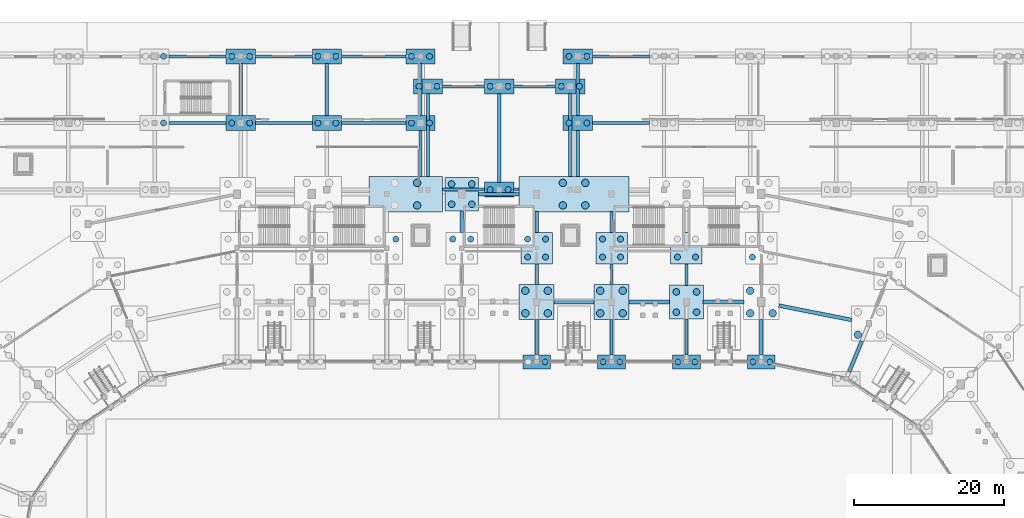
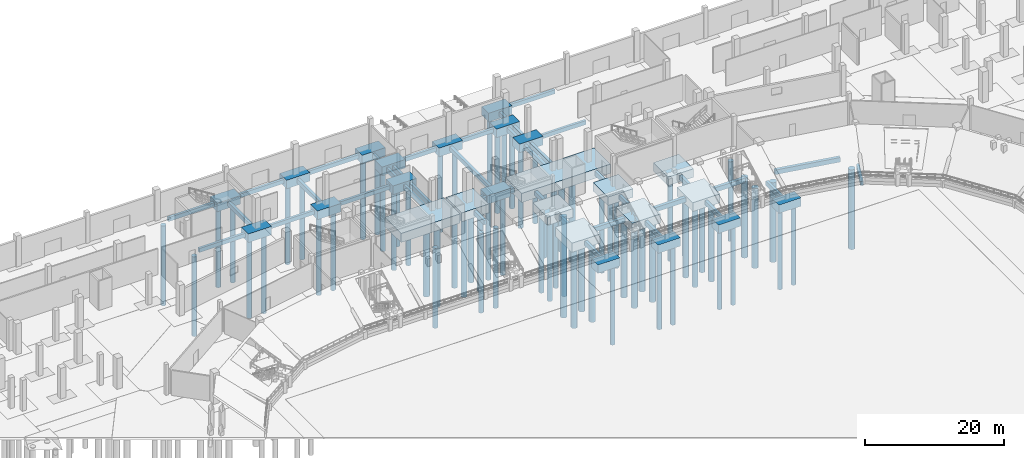
# One storey, part 11 of 68: 73 piles, 62 footings.
"""IFC4 building model written with IfcOpenShell, lengths in metres."""

import ifcopenshell
import ifcopenshell.guid

model = None  # the IFC model being written
_history = None  # IfcOwnerHistory: only IFC2X3 demands one
_inside = {}  # id of a spatial element -> (the spatial element, [elements in it])
_under = {}  # id of a project, library or spatial element -> (it, [spatial elements below it])
_declared = {}  # id of a project -> (the project, [libraries it declares])
_typed = {}  # id of a type object -> (the type object, [elements of that type])
_made_of = {}  # id of a material, layer set ... -> (it, [elements and type objects made of it])


def new_model(schema):
    """Start an empty IFC model of exactly this schema.

    Asked for "IFC4X3", IfcOpenShell would pick the latest addendum, in which some entities
    have other attributes; the version numbers below select the first issue.
    IFC2X3 requires an IfcOwnerHistory on every rooted entity: one is made here for all.
    """
    global model, _history
    if schema == "IFC4X3":
        model = ifcopenshell.file(schema_version=(4, 3, 0, 0))
    else:
        model = ifcopenshell.file(schema=schema)
    _inside.clear()
    _under.clear()
    _declared.clear()
    _typed.clear()
    _made_of.clear()
    _history = None
    if model.schema == "IFC2X3":
        org = make("IfcOrganization", Name="unknown")
        user = make(
            "IfcPersonAndOrganization",
            ThePerson=make("IfcPerson", FamilyName="unknown"),
            TheOrganization=org,
        )
        app = make(
            "IfcApplication",
            ApplicationDeveloper=org,
            Version="unknown",
            ApplicationFullName="unknown",
            ApplicationIdentifier="unknown",
        )
        _history = make(
            "IfcOwnerHistory",
            OwningUser=user,
            OwningApplication=app,
            ChangeAction="ADDED",
            CreationDate=0,
        )
    return model


def make(cls, **values):
    """One entity of the class cls with the attributes given. An attribute that is None is left unset."""
    return model.create_entity(
        cls, **{name: value for name, value in values.items() if value is not None}
    )


def rooted(cls, **values):
    """An entity with a GlobalId (a new one), such as an element, a storey or a relation."""
    return make(cls, GlobalId=ifcopenshell.guid.new(), OwnerHistory=_history, **values)


def si_unit(unit_type, name, prefix=None):
    """IfcSIUnit, for example si_unit("LENGTHUNIT", "METRE", prefix="MILLI")."""
    return make("IfcSIUnit", UnitType=unit_type, Prefix=prefix, Name=name)


def assignment(units):
    """IfcUnitAssignment: the units of a project."""
    return None if units is None else make("IfcUnitAssignment", Units=units)


def point(xyz):
    """IfcCartesianPoint."""
    return None if xyz is None else make("IfcCartesianPoint", Coordinates=xyz)


def direction(xyz):
    """IfcDirection."""
    return None if xyz is None else make("IfcDirection", DirectionRatios=xyz)


def frame(location, z_axis=None, x_axis=None):
    """IfcAxis2Placement3D, a coordinate frame: its origin and axes. An axis left out is left unset."""
    return make(
        "IfcAxis2Placement3D",
        Location=point(location),
        Axis=direction(z_axis),
        RefDirection=direction(x_axis),
    )


def frame_2d(location, x_axis=None):
    """IfcAxis2Placement2D, a coordinate frame in the plane: its origin and x axis."""
    return make(
        "IfcAxis2Placement2D", Location=point(location), RefDirection=direction(x_axis)
    )


def origin():
    """The frame at (0, 0, 0) with its axes left unset."""
    return frame((0.0, 0.0, 0.0))


def origin_2d():
    """The frame at (0, 0) in the plane with its x axis left unset."""
    return frame_2d((0.0, 0.0))


def place(relative_to, where):
    """IfcLocalPlacement: puts the frame where relative to a parent placement (None: the world)."""
    return make(
        "IfcLocalPlacement", PlacementRelTo=relative_to, RelativePlacement=where
    )


def context(
    kind, dimensions, precision=None, world=None, true_north=None, identifier=None
):
    """IfcGeometricRepresentationContext, for example the 3D "Model" context."""
    return make(
        "IfcGeometricRepresentationContext",
        ContextIdentifier=identifier,
        ContextType=kind,
        CoordinateSpaceDimension=dimensions,
        Precision=precision,
        WorldCoordinateSystem=world,
        TrueNorth=true_north,
    )


def subcontext(parent, identifier, kind, view, scale=None):
    """IfcGeometricRepresentationSubContext, for example "Body" below "Model"."""
    return make(
        "IfcGeometricRepresentationSubContext",
        ContextIdentifier=identifier,
        ContextType=kind,
        ParentContext=parent,
        TargetScale=scale,
        TargetView=view,
    )


def project(units=None, contexts=None):
    """IfcProject with its units and contexts."""
    return rooted(
        "IfcProject",
        Name="project",
        RepresentationContexts=contexts,
        UnitsInContext=assignment(units),
    )


def spatial(cls, under=None, at=None, **own):
    """A site, building, storey or space (cls), placed at a placement, below another one or the project."""
    s = rooted(cls, ObjectPlacement=at, **own)
    if under is not None:
        _under.setdefault(under.id(), (under, []))[1].append(s)
    return s


def profile(cls, at=None, kind="AREA", **sizes):
    """A parametric profile (cls). Its sizes go by their IFC names, for example OverallWidth=200.0."""
    return make(cls, ProfileType=kind, Position=at, **sizes)


def rectangle(**sizes):
    """IfcRectangleProfileDef."""
    return profile("IfcRectangleProfileDef", **sizes)


def circle(**sizes):
    """IfcCircleProfileDef."""
    return profile("IfcCircleProfileDef", **sizes)


def extrude(swept, where, along, depth):
    """IfcExtrudedAreaSolid: the profile swept, set in the frame where, extruded along a direction by depth."""
    return make(
        "IfcExtrudedAreaSolid",
        SweptArea=swept,
        Position=where,
        ExtrudedDirection=direction(along),
        Depth=depth,
    )


def shape(context_of_items, identifier, shape_type, items):
    """IfcShapeRepresentation: the items that make up one representation, for example the "Body"."""
    return make(
        "IfcShapeRepresentation",
        ContextOfItems=context_of_items,
        RepresentationIdentifier=identifier,
        RepresentationType=shape_type,
        Items=items,
    )


def material(Name=None, Category=None):
    """IfcMaterial."""
    return make("IfcMaterial", Name=Name, Category=Category)


def material_profile(
    of_material, cross_section, Name=None, Category=None, Priority=None
):
    """IfcMaterialProfile: a cross section and its material."""
    return make(
        "IfcMaterialProfile",
        Name=Name,
        Material=of_material,
        Profile=cross_section,
        Priority=Priority,
        Category=Category,
    )


def profile_set(profiles, Name=None, composite=None):
    """IfcMaterialProfileSet."""
    return make(
        "IfcMaterialProfileSet",
        Name=Name,
        MaterialProfiles=profiles,
        CompositeProfile=composite,
    )


def made_of(thing, what):
    """Note that an element or type object is made of a material, layer set ...; save() writes the relation."""
    if what is not None:
        _made_of.setdefault(what.id(), (what, []))[1].append(thing)
    return thing


def type_object(cls, material=None, **own):
    """A type object (cls), such as IfcWallType, which elements share."""
    return made_of(rooted(cls, **own), material)


def element(
    cls,
    number,
    at=None,
    inside=None,
    cuts=None,
    type_object=None,
    material=None,
    context=None,
    identifier="Body",
    shape_type=None,
    held_by="IfcProductDefinitionShape",
    body=None,
    shapes=None,
    **own,
):
    """One element of the class cls, such as IfcWall. Its Tag is "e" and its number.

    at: its placement. inside: the storey or other place that contains it. cuts: it is an
    opening in that element (IfcRelVoidsElement). A single representation is given by context,
    identifier, shape_type and body (its items); several are given by shapes. held_by: the class
    of the entity that holds the representations. save() writes the other relations.
    """
    e = rooted(cls, Tag="e%d" % number, ObjectPlacement=at, **own)
    if body is not None:
        shapes = [shape(context, identifier, shape_type, body)]
    if shapes is not None:
        e.Representation = make(held_by, Representations=shapes)
    if inside is not None:
        _inside.setdefault(inside.id(), (inside, []))[1].append(e)
    if cuts is not None:
        rooted(
            "IfcRelVoidsElement", RelatingBuildingElement=cuts, RelatedOpeningElement=e
        )
    if type_object is not None:
        _typed.setdefault(type_object.id(), (type_object, []))[1].append(e)
    return made_of(e, material)


def aggregate(whole, parts):
    """IfcRelAggregates: a whole, such as a stair, and the parts it consists of."""
    return rooted("IfcRelAggregates", RelatingObject=whole, RelatedObjects=parts)


def save(model, path):
    """Write the relations noted so far, then the file.

    IfcRelAggregates (storeys below a building ...), IfcRelContainedInSpatialStructure (elements
    in a storey), IfcRelDefinesByType, IfcRelAssociatesMaterial and IfcRelDeclares: one each for
    every whole, place, type object, material and project.
    """
    for whole, parts in _under.values():
        aggregate(whole, parts)
    for where, things in _inside.values():
        rooted(
            "IfcRelContainedInSpatialStructure",
            RelatedElements=things,
            RelatingStructure=where,
        )
    for kind, things in _typed.values():
        rooted("IfcRelDefinesByType", RelatedObjects=things, RelatingType=kind)
    for what, things in _made_of.values():
        rooted("IfcRelAssociatesMaterial", RelatedObjects=things, RelatingMaterial=what)
    for by, libraries in _declared.values():
        rooted("IfcRelDeclares", RelatingContext=by, RelatedDefinitions=libraries)
    model.write(path)


model = new_model("IFC4")

# Units and contexts
model_context = context("Model", 3, precision=1e-05, world=origin(), true_north=direction((0.0, 1.0)))
body_context = subcontext(model_context, "Body", "Model", "MODEL_VIEW")
ifc_project = project(units=[si_unit("LENGTHUNIT", "METRE"), si_unit("AREAUNIT", "SQUARE_METRE"), si_unit("VOLUMEUNIT", "CUBIC_METRE"), si_unit("PLANEANGLEUNIT", "RADIAN"), si_unit("MASSUNIT", "GRAM", prefix="KILO")], contexts=[model_context])

# Site, building, storey
site_placement = place(None, origin())
site = spatial("IfcSite", under=ifc_project, at=site_placement, CompositionType="ELEMENT")
building_placement = place(site_placement, origin())
building = spatial("IfcBuilding", under=site, at=building_placement, Name="Candeia Ridge Stadium", CompositionType="ELEMENT")
storey_placement = place(building_placement, origin())
storey = spatial("IfcBuildingStorey", under=building, at=storey_placement, Name="L00", CompositionType="ELEMENT", Elevation=0.0)

# Piles
ifc_material = material(Name="Concrete C40/50", Category="concrete")
ifc_material_profile_1 = material_profile(ifc_material, circle(Radius=0.5, at=origin_2d()), Name="PILE-D1000", Category="concrete")
ifc_profile_set_1 = profile_set([ifc_material_profile_1], Name="Concrete C40/50")
pile_type_1 = type_object("IfcPileType", Name="Bored Concrete Pile D1000", PredefinedType="BORED", material=ifc_profile_set_1)
for number, where, z_axis, x_axis, name in (
    (1, (139.5, 131.10009765625, -1.39990234375), (0.0, 0.0, -1.0), (1.0, 0.0, 0.0), "Bored concrete foundation pile PILE-0003"),
    (2, (142.5, 131.10009765625, -1.39990234375), (0.0, 0.0, -1.0), (1.0, 0.0, 0.0), "Bored concrete foundation pile PILE-0004"),
    (3, (139.5, 134.10009765625, -1.39990234375), (0.0, 0.0, -1.0), (1.0, 0.0, 0.0), "Bored concrete foundation pile PILE-0005"),
    (4, (119.5, 131.10009765625, -1.39990234375), (0.0, 0.0, -1.0), (1.0, 0.0, 0.0), "Bored concrete foundation pile PILE-0031"),
    (5, (122.5, 131.10009765625, -1.39990234375), (0.0, 0.0, -1.0), (1.0, 0.0, 0.0), "Bored concrete foundation pile PILE-0032"),
    (6, (119.5, 134.10009765625, -1.39990234375), (0.0, 0.0, -1.0), (1.0, 0.0, 0.0), "Bored concrete foundation pile PILE-0033"),
    (7, (122.5, 134.10009765625, -1.39990234375), (0.0, 0.0, -1.0), (1.0, 0.0, 0.0), "Bored concrete foundation pile PILE-0034"),
    (8, (114.5, 145.5, -1.39990234375), (0.0, 0.0, -1.0), (1.0, 0.0, 0.0), "Bored concrete foundation pile PILE-0039"),
    (9, (117.5, 145.5, -1.39990234375), (0.0, 0.0, -1.0), (1.0, 0.0, 0.0), "Bored concrete foundation pile PILE-0040"),
    (10, (114.5, 148.5, -1.39990234375), (0.0, 0.0, -1.0), (1.0, 0.0, 0.0), "Bored concrete foundation pile PILE-0041"),
    (11, (117.5, 148.5, -1.39990234375), (0.0, 0.0, -1.0), (1.0, 0.0, 0.0), "Bored concrete foundation pile PILE-0042"),
    (12, (109.5, 131.10009765625, -1.39990234375), (0.0, 0.0, -1.0), (1.0, 0.0, 0.0), "Bored concrete foundation pile PILE-0045"),
    (13, (112.5, 131.10009765625, -1.39990234375), (0.0, 0.0, -1.0), (1.0, 0.0, 0.0), "Bored concrete foundation pile PILE-0046"),
    (14, (109.5, 134.10009765625, -1.39990234375), (0.0, 0.0, -1.0), (1.0, 0.0, 0.0), "Bored concrete foundation pile PILE-0047"),
    (15, (112.5, 134.10009765625, -1.39990234375), (0.0, 0.0, -1.0), (1.0, 0.0, 0.0), "Bored concrete foundation pile PILE-0048"),
    (16, (95.050048828125, 145.5, -1.39990234375), (0.0, 0.0, -1.0), (1.0, 0.0, 0.0), "Bored concrete foundation pile PILE-0078"),
    (17, (95.050048828125, 148.5, -1.39990234375), (0.0, 0.0, -1.0), (1.0, 0.0, 0.0), "Bored concrete foundation pile PILE-0080"),
    (18, (153.888916015625, 128.23779296875, -1.39990234375), (0.0, 0.0, -1.0), (1.0, 0.0, 0.0), "Bored concrete foundation pile PILE-0481"),
):
    element("IfcPile", number, at=place(storey_placement, frame(where, z_axis=z_axis, x_axis=x_axis)), inside=storey, type_object=pile_type_1, Name=name, PredefinedType="BORED", context=body_context, shape_type="SweptSolid", body=[
        extrude(circle(Radius=0.5, at=origin_2d()), origin(), (0.0, 0.0, 1.0), 14.0),
    ])
ifc_material_profile_2 = material_profile(ifc_material, circle(Radius=0.375, at=origin_2d()), Name="PILE-D750", Category="concrete")
ifc_profile_set_2 = profile_set([ifc_material_profile_2], Name="Concrete C40/50")
pile_type_2 = type_object("IfcPileType", Name="Bored Concrete Pile D750", PredefinedType="BORED", material=ifc_profile_set_2)
for number, where, z_axis, x_axis, name in (
    (19, (139.875, 124.60009765625, -1.39990234375), (0.0, 0.0, -1.0), (1.0, 0.0, 0.0), "Bored concrete foundation pile PILE-0001"),
    (20, (142.125, 124.60009765625, -1.39990234375), (0.0, 0.0, -1.0), (1.0, 0.0, 0.0), "Bored concrete foundation pile PILE-0002"),
    (21, (129.875, 124.60009765625, -1.39990234375), (0.0, 0.0, -1.0), (1.0, 0.0, 0.0), "Bored concrete foundation pile PILE-0015"),
    (22, (132.125, 124.60009765625, -1.39990234375), (0.0, 0.0, -1.0), (1.0, 0.0, 0.0), "Bored concrete foundation pile PILE-0016"),
    (23, (119.875, 124.60009765625, -1.39990234375), (0.0, 0.0, -1.0), (1.0, 0.0, 0.0), "Bored concrete foundation pile PILE-0029"),
    (24, (122.125, 124.60009765625, -1.39990234375), (0.0, 0.0, -1.0), (1.0, 0.0, 0.0), "Bored concrete foundation pile PILE-0030"),
    (25, (112.125, 124.60009765625, -1.39990234375), (0.0, 0.0, -1.0), (1.0, 0.0, 0.0), "Bored concrete foundation pile PILE-0044"),
):
    element("IfcPile", number, at=place(storey_placement, frame(where, z_axis=z_axis, x_axis=x_axis)), inside=storey, type_object=pile_type_2, Name=name, PredefinedType="BORED", context=body_context, shape_type="SweptSolid", body=[
        extrude(circle(Radius=0.375, at=origin_2d()), origin(), (0.0, 0.0, 1.0), 14.0),
    ])
ifc_material_profile_3 = material_profile(ifc_material, circle(Radius=0.39990234375, at=origin_2d()), Name="PILE-D800", Category="concrete")
ifc_profile_set_3 = profile_set([ifc_material_profile_3], Name="Concrete C40/50")
pile_type_3 = type_object("IfcPileType", Name="Bored Concrete Pile D800", PredefinedType="BORED", material=ifc_profile_set_3)
for number, where, z_axis, x_axis, name in (
    (26, (139.800048828125, 138.60009765625, -1.39990234375), (0.0, 0.0, -1.0), (1.0, 0.0, 0.0), "Bored concrete foundation pile PILE-0007"),
    (27, (129.800048828125, 138.60009765625, -1.39990234375), (0.0, 0.0, -1.0), (1.0, 0.0, 0.0), "Bored concrete foundation pile PILE-0021"),
    (28, (132.199951171875, 138.60009765625, -1.39990234375), (0.0, 0.0, -1.0), (1.0, 0.0, 0.0), "Bored concrete foundation pile PILE-0022"),
    (29, (119.800048828125, 138.60009765625, -1.39990234375), (0.0, 0.0, -1.0), (1.0, 0.0, 0.0), "Bored concrete foundation pile PILE-0035"),
    (30, (122.199951171875, 138.60009765625, -1.39990234375), (0.0, 0.0, -1.0), (1.0, 0.0, 0.0), "Bored concrete foundation pile PILE-0036"),
    (31, (119.800048828125, 141.0, -1.39990234375), (0.0, 0.0, -1.0), (1.0, 0.0, 0.0), "Bored concrete foundation pile PILE-0037"),
    (32, (122.199951171875, 141.0, -1.39990234375), (0.0, 0.0, -1.0), (1.0, 0.0, 0.0), "Bored concrete foundation pile PILE-0038"),
    (33, (109.800048828125, 138.60009765625, -1.39990234375), (0.0, 0.0, -1.0), (1.0, 0.0, 0.0), "Bored concrete foundation pile PILE-0049"),
    (34, (112.199951171875, 138.60009765625, -1.39990234375), (0.0, 0.0, -1.0), (1.0, 0.0, 0.0), "Bored concrete foundation pile PILE-0050"),
    (35, (109.800048828125, 141.0, -1.39990234375), (0.0, 0.0, -1.0), (1.0, 0.0, 0.0), "Bored concrete foundation pile PILE-0051"),
    (36, (112.199951171875, 141.0, -1.39990234375), (0.0, 0.0, -1.0), (1.0, 0.0, 0.0), "Bored concrete foundation pile PILE-0052"),
    (37, (99.800048828125, 141.0, -1.39990234375), (0.0, 0.0, -1.0), (1.0, 0.0, 0.0), "Bored concrete foundation pile PILE-0061"),
    (38, (102.199951171875, 141.0, -1.39990234375), (0.0, 0.0, -1.0), (1.0, 0.0, 0.0), "Bored concrete foundation pile PILE-0062"),
    (39, (92.199951171875, 141.0, -1.39990234375), (0.0, 0.0, -1.0), (1.0, 0.0, 0.0), "Bored concrete foundation pile PILE-0076"),
    (40, (61.199951171875, 156.5, -1.39990234375), (0.0, 0.0, -1.0), (1.0, 0.0, 0.0), "Bored concrete foundation pile PILE-0830"),
    (41, (61.199951171875, 165.39990234375, -1.39990234375), (0.0, 0.0, -1.0), (1.0, 0.0, 0.0), "Bored concrete foundation pile PILE-0832"),
    (42, (70.300048828125, 156.5, -1.39990234375), (0.0, 0.0, -1.0), (1.0, 0.0, 0.0), "Bored concrete foundation pile PILE-0833"),
    (43, (72.699951171875, 156.5, -1.39990234375), (0.0, 0.0, -1.0), (1.0, 0.0, 0.0), "Bored concrete foundation pile PILE-0834"),
    (44, (70.300048828125, 165.39990234375, -1.39990234375), (0.0, 0.0, -1.0), (1.0, 0.0, 0.0), "Bored concrete foundation pile PILE-0835"),
    (45, (72.699951171875, 165.39990234375, -1.39990234375), (0.0, 0.0, -1.0), (1.0, 0.0, 0.0), "Bored concrete foundation pile PILE-0836"),
    (46, (81.800048828125, 156.5, -1.39990234375), (0.0, 0.0, -1.0), (1.0, 0.0, 0.0), "Bored concrete foundation pile PILE-0837"),
    (47, (84.199951171875, 156.5, -1.39990234375), (0.0, 0.0, -1.0), (1.0, 0.0, 0.0), "Bored concrete foundation pile PILE-0838"),
    (48, (81.800048828125, 165.39990234375, -1.39990234375), (0.0, 0.0, -1.0), (1.0, 0.0, 0.0), "Bored concrete foundation pile PILE-0839"),
    (49, (84.199951171875, 165.39990234375, -1.39990234375), (0.0, 0.0, -1.0), (1.0, 0.0, 0.0), "Bored concrete foundation pile PILE-0840"),
    (50, (94.300048828125, 156.5, -1.39990234375), (0.0, 0.0, -1.0), (1.0, 0.0, 0.0), "Bored concrete foundation pile PILE-0841"),
    (51, (96.699951171875, 156.5, -1.39990234375), (0.0, 0.0, -1.0), (1.0, 0.0, 0.0), "Bored concrete foundation pile PILE-0842"),
    (52, (94.300048828125, 165.39990234375, -1.39990234375), (0.0, 0.0, -1.0), (1.0, 0.0, 0.0), "Bored concrete foundation pile PILE-0843"),
    (53, (96.699951171875, 165.39990234375, -1.39990234375), (0.0, 0.0, -1.0), (1.0, 0.0, 0.0), "Bored concrete foundation pile PILE-0844"),
    (54, (115.300048828125, 156.5, -1.39990234375), (0.0, 0.0, -1.0), (1.0, 0.0, 0.0), "Bored concrete foundation pile PILE-0845"),
    (55, (117.699951171875, 156.5, -1.39990234375), (0.0, 0.0, -1.0), (1.0, 0.0, 0.0), "Bored concrete foundation pile PILE-0846"),
    (56, (115.300048828125, 165.39990234375, -1.39990234375), (0.0, 0.0, -1.0), (1.0, 0.0, 0.0), "Bored concrete foundation pile PILE-0847"),
    (57, (117.699951171875, 165.39990234375, -1.39990234375), (0.0, 0.0, -1.0), (1.0, 0.0, 0.0), "Bored concrete foundation pile PILE-0848"),
    (58, (95.300048828125, 161.39990234375, -1.39990234375), (0.0, 0.0, -1.0), (1.0, 0.0, 0.0), "Bored concrete foundation pile PILE-0881"),
    (59, (97.699951171875, 161.39990234375, -1.39990234375), (0.0, 0.0, -1.0), (1.0, 0.0, 0.0), "Bored concrete foundation pile PILE-0882"),
    (60, (104.800048828125, 147.60009765625, -1.39990234375), (0.0, 0.0, -1.0), (1.0, 0.0, 0.0), "Bored concrete foundation pile PILE-0883"),
    (61, (107.199951171875, 147.60009765625, -1.39990234375), (0.0, 0.0, -1.0), (1.0, 0.0, 0.0), "Bored concrete foundation pile PILE-0884"),
    (62, (104.800048828125, 161.39990234375, -1.39990234375), (0.0, 0.0, -1.0), (1.0, 0.0, 0.0), "Bored concrete foundation pile PILE-0885"),
    (63, (107.199951171875, 161.39990234375, -1.39990234375), (0.0, 0.0, -1.0), (1.0, 0.0, 0.0), "Bored concrete foundation pile PILE-0886"),
    (64, (114.300048828125, 161.39990234375, -1.39990234375), (0.0, 0.0, -1.0), (1.0, 0.0, 0.0), "Bored concrete foundation pile PILE-0887"),
    (65, (116.699951171875, 161.39990234375, -1.39990234375), (0.0, 0.0, -1.0), (1.0, 0.0, 0.0), "Bored concrete foundation pile PILE-0888"),
):
    element("IfcPile", number, at=place(storey_placement, frame(where, z_axis=z_axis, x_axis=x_axis)), inside=storey, type_object=pile_type_3, Name=name, PredefinedType="BORED", context=body_context, shape_type="SweptSolid", body=[
        extrude(circle(Radius=0.39990234375, at=origin_2d()), origin(), (0.0, 0.0, 1.0), 14.0),
    ])
ifc_material_profile_4 = material_profile(ifc_material, circle(Radius=0.449951171875, at=origin_2d()), Name="PILE-D900", Category="concrete")
ifc_profile_set_4 = profile_set([ifc_material_profile_4], Name="Concrete C40/50")
pile_type_4 = type_object("IfcPileType", Name="Bored Concrete Pile D900", PredefinedType="BORED", material=ifc_profile_set_4)
for number, where, z_axis, x_axis, name in (
    (66, (129.64990234375, 131.25, -1.39990234375), (0.0, 0.0, -1.0), (1.0, 0.0, 0.0), "Bored concrete foundation pile PILE-0017"),
    (67, (132.35009765625, 131.25, -1.39990234375), (0.0, 0.0, -1.0), (1.0, 0.0, 0.0), "Bored concrete foundation pile PILE-0018"),
    (68, (129.64990234375, 133.949951171875, -1.39990234375), (0.0, 0.0, -1.0), (1.0, 0.0, 0.0), "Bored concrete foundation pile PILE-0019"),
    (69, (132.35009765625, 133.949951171875, -1.39990234375), (0.0, 0.0, -1.0), (1.0, 0.0, 0.0), "Bored concrete foundation pile PILE-0020"),
    (70, (99.64990234375, 145.64990234375, -1.39990234375), (0.0, 0.0, -1.0), (1.0, 0.0, 0.0), "Bored concrete foundation pile PILE-0063"),
    (71, (102.35009765625, 145.64990234375, -1.39990234375), (0.0, 0.0, -1.0), (1.0, 0.0, 0.0), "Bored concrete foundation pile PILE-0064"),
    (72, (99.64990234375, 148.35009765625, -1.39990234375), (0.0, 0.0, -1.0), (1.0, 0.0, 0.0), "Bored concrete foundation pile PILE-0065"),
    (73, (102.35009765625, 148.35009765625, -1.39990234375), (0.0, 0.0, -1.0), (1.0, 0.0, 0.0), "Bored concrete foundation pile PILE-0066"),
):
    element("IfcPile", number, at=place(storey_placement, frame(where, z_axis=z_axis, x_axis=x_axis)), inside=storey, type_object=pile_type_4, Name=name, PredefinedType="BORED", context=body_context, shape_type="SweptSolid", body=[
        extrude(circle(Radius=0.449951171875, at=origin_2d()), origin(), (0.0, 0.0, 1.0), 14.0),
    ])

# Footings
footing_type_1 = type_object("IfcFootingType", Name="Ground Tie Beam 400x700", PredefinedType="FOOTING_BEAM", material=ifc_material)
for number, where, z_axis, x_axis, name in (
    (74, (65.75, 156.5, -1.0498046875), (0.0, 0.0, 1.0), (1.0, 0.0, 0.0), "Ground tie beam GTB-0384"),
    (75, (65.75, 165.39990234375, -1.0498046875), (0.0, 0.0, 1.0), (1.0, 0.0, 0.0), "Ground tie beam GTB-0385"),
    (76, (77.25, 156.5, -1.0498046875), (0.0, 0.0, 1.0), (1.0, 0.0, 0.0), "Ground tie beam GTB-0389"),
    (77, (77.25, 165.39990234375, -1.0498046875), (0.0, 0.0, 1.0), (1.0, 0.0, 0.0), "Ground tie beam GTB-0390"),
):
    element("IfcFooting", number, at=place(storey_placement, frame(where, z_axis=z_axis, x_axis=x_axis)), inside=storey, type_object=footing_type_1, Name=name, PredefinedType="FOOTING_BEAM", context=body_context, shape_type="SweptSolid", body=[
        extrude(rectangle(XDim=7.6201171875, YDim=0.39990234375, at=origin_2d()), origin(), (0.0, 0.0, 1.0), 0.699951171875),
    ])
for number, where, z_axis, x_axis, name in (
    (78, (89.25, 156.5, -1.0498046875), (0.0, 0.0, 1.0), (1.0, 0.0, 0.0), "Ground tie beam GTB-0394"),
    (79, (89.25, 165.39990234375, -1.0498046875), (0.0, 0.0, 1.0), (1.0, 0.0, 0.0), "Ground tie beam GTB-0395"),
):
    element("IfcFooting", number, at=place(storey_placement, frame(where, z_axis=z_axis, x_axis=x_axis)), inside=storey, type_object=footing_type_1, Name=name, PredefinedType="FOOTING_BEAM", context=body_context, shape_type="SweptSolid", body=[
        extrude(rectangle(XDim=8.6201171875, YDim=0.39990234375, at=origin_2d()), origin(), (0.0, 0.0, 1.0), 0.699951171875),
    ])
for number, where, z_axis, x_axis, name in (
    (80, (122.25, 156.5, -1.0498046875), (0.0, 0.0, 1.0), (1.0, 0.0, 0.0), "Ground tie beam GTB-0401"),
    (81, (122.25, 165.39990234375, -1.0498046875), (0.0, 0.0, 1.0), (1.0, 0.0, 0.0), "Ground tie beam GTB-0402"),
):
    element("IfcFooting", number, at=place(storey_placement, frame(where, z_axis=z_axis, x_axis=x_axis)), inside=storey, type_object=footing_type_1, Name=name, PredefinedType="FOOTING_BEAM", context=body_context, shape_type="SweptSolid", body=[
        extrude(rectangle(XDim=7.6201171875, YDim=0.39990234375, at=origin_2d()), origin(), (0.0, 0.0, 1.0), 0.699951171875),
    ])
for number, where, z_axis, x_axis, name in (
    (82, (101.25, 147.60009765625, -1.0498046875), (0.0, 0.0, 1.0), (1.0, 0.0, 0.0), "Ground tie beam GTB-0431"),
    (83, (101.25, 161.39990234375, -1.0498046875), (0.0, 0.0, 1.0), (1.0, 0.0, 0.0), "Ground tie beam GTB-0432"),
):
    element("IfcFooting", number, at=place(storey_placement, frame(where, z_axis=z_axis, x_axis=x_axis)), inside=storey, type_object=footing_type_1, Name=name, PredefinedType="FOOTING_BEAM", context=body_context, shape_type="SweptSolid", body=[
        extrude(rectangle(XDim=5.6201171875, YDim=0.39990234375, at=origin_2d()), origin(), (0.0, 0.0, 1.0), 0.699951171875),
    ])
footing_1_placement = place(storey_placement, frame((108.300048828125, 147.60009765625, -1.0498046875), z_axis=(0.0, 0.0, 1.0), x_axis=(1.0, 0.0, 0.0)))
element("IfcFooting", 84, at=footing_1_placement, inside=storey, type_object=footing_type_1, Name="Ground tie beam GTB-0434", PredefinedType="FOOTING_BEAM", context=body_context, shape_type="SweptSolid", body=[
    extrude(rectangle(XDim=0.719970703125, YDim=0.39990234375, at=origin_2d()), origin(), (0.0, 0.0, 1.0), 0.699951171875),
])
footing_2_placement = place(storey_placement, frame((110.75, 161.39990234375, -1.0498046875), z_axis=(0.0, 0.0, 1.0), x_axis=(1.0, 0.0, 0.0)))
element("IfcFooting", 85, at=footing_2_placement, inside=storey, type_object=footing_type_1, Name="Ground tie beam GTB-0435", PredefinedType="FOOTING_BEAM", context=body_context, shape_type="SweptSolid", body=[
    extrude(rectangle(XDim=5.6201171875, YDim=0.39990234375, at=origin_2d()), origin(), (0.0, 0.0, 1.0), 0.699951171875),
])
footing_type_2 = type_object("IfcFootingType", Name="Ground Tie Beam 450x750", PredefinedType="FOOTING_BEAM", material=ifc_material)
footing_3_placement = place(storey_placement, frame((141.0, 127.89990234375, -1.074951171875), z_axis=(0.0, 0.0, 1.0), x_axis=(0.0, 1.0, 0.0)))
element("IfcFooting", 86, at=footing_3_placement, inside=storey, type_object=footing_type_2, Name="Ground tie beam GTB-0003", PredefinedType="FOOTING_BEAM", context=body_context, shape_type="SweptSolid", body=[
    extrude(rectangle(XDim=4.719970703125, YDim=0.449951171875, at=origin_2d()), origin(), (0.0, 0.0, 1.0), 0.75),
])
footing_4_placement = place(storey_placement, frame((131.0, 127.949951171875, -1.074951171875), z_axis=(0.0, 0.0, 1.0), x_axis=(0.0, 1.0, 0.0)))
element("IfcFooting", 87, at=footing_4_placement, inside=storey, type_object=footing_type_2, Name="Ground tie beam GTB-0008", PredefinedType="FOOTING_BEAM", context=body_context, shape_type="SweptSolid", body=[
    extrude(rectangle(XDim=4.820068359375, YDim=0.449951171875, at=origin_2d()), origin(), (0.0, 0.0, 1.0), 0.75),
])
footing_5_placement = place(storey_placement, frame((131.0, 136.27490234375, -1.074951171875), z_axis=(0.0, 0.0, 1.0), x_axis=(0.0, 1.0, 0.0)))
element("IfcFooting", 88, at=footing_5_placement, inside=storey, type_object=footing_type_2, Name="Ground tie beam GTB-0009", PredefinedType="FOOTING_BEAM", context=body_context, shape_type="SweptSolid", body=[
    extrude(rectangle(XDim=2.8701171875, YDim=0.449951171875, at=origin_2d()), origin(), (0.0, 0.0, 1.0), 0.75),
])
footing_6_placement = place(storey_placement, frame((121.0, 127.89990234375, -1.074951171875), z_axis=(0.0, 0.0, 1.0), x_axis=(0.0, 1.0, 0.0)))
element("IfcFooting", 89, at=footing_6_placement, inside=storey, type_object=footing_type_2, Name="Ground tie beam GTB-0012", PredefinedType="FOOTING_BEAM", context=body_context, shape_type="SweptSolid", body=[
    extrude(rectangle(XDim=4.719970703125, YDim=0.449951171875, at=origin_2d()), origin(), (0.0, 0.0, 1.0), 0.75),
])
for number, where, z_axis, x_axis, name in (
    (90, (121.0, 136.324951171875, -1.074951171875), (0.0, 0.0, 1.0), (0.0, 1.0, 0.0), "Ground tie beam GTB-0013"),
    (91, (121.0, 143.27490234375, -1.074951171875), (0.0, 0.0, 1.0), (0.0, 1.0, 0.0), "Ground tie beam GTB-0014"),
):
    element("IfcFooting", number, at=place(storey_placement, frame(where, z_axis=z_axis, x_axis=x_axis)), inside=storey, type_object=footing_type_2, Name=name, PredefinedType="FOOTING_BEAM", context=body_context, shape_type="SweptSolid", body=[
        extrude(rectangle(XDim=2.77001953125, YDim=0.449951171875, at=origin_2d()), origin(), (0.0, 0.0, 1.0), 0.75),
    ])
footing_7_placement = place(storey_placement, frame((111.0, 127.89990234375, -1.074951171875), z_axis=(0.0, 0.0, 1.0), x_axis=(0.0, 1.0, 0.0)))
element("IfcFooting", 92, at=footing_7_placement, inside=storey, type_object=footing_type_2, Name="Ground tie beam GTB-0017", PredefinedType="FOOTING_BEAM", context=body_context, shape_type="SweptSolid", body=[
    extrude(rectangle(XDim=4.719970703125, YDim=0.449951171875, at=origin_2d()), origin(), (0.0, 0.0, 1.0), 0.75),
])
for number, where, z_axis, x_axis, name in (
    (93, (111.0, 136.324951171875, -1.074951171875), (0.0, 0.0, 1.0), (0.0, 1.0, 0.0), "Ground tie beam GTB-0018"),
    (94, (111.0, 143.27490234375, -1.074951171875), (0.0, 0.0, 1.0), (0.0, 1.0, 0.0), "Ground tie beam GTB-0019"),
):
    element("IfcFooting", number, at=place(storey_placement, frame(where, z_axis=z_axis, x_axis=x_axis)), inside=storey, type_object=footing_type_2, Name=name, PredefinedType="FOOTING_BEAM", context=body_context, shape_type="SweptSolid", body=[
        extrude(rectangle(XDim=2.77001953125, YDim=0.449951171875, at=origin_2d()), origin(), (0.0, 0.0, 1.0), 0.75),
    ])
footing_8_placement = place(storey_placement, frame((101.0, 143.324951171875, -1.074951171875), z_axis=(0.0, 0.0, 1.0), x_axis=(0.0, 1.0, 0.0)))
element("IfcFooting", 95, at=footing_8_placement, inside=storey, type_object=footing_type_2, Name="Ground tie beam GTB-0023", PredefinedType="FOOTING_BEAM", context=body_context, shape_type="SweptSolid", body=[
    extrude(rectangle(XDim=2.8701171875, YDim=0.449951171875, at=origin_2d()), origin(), (0.0, 0.0, 1.0), 0.75),
])
footing_9_placement = place(storey_placement, frame((153.568115234375, 125.34228515625, -1.074951171875), z_axis=(0.0, 0.0, 1.0), x_axis=(0.382681391665, 0.923880377794, 0.0)))
element("IfcFooting", 96, at=footing_9_placement, inside=storey, type_object=footing_type_2, Name="Ground tie beam GTB-0157", PredefinedType="FOOTING_BEAM", context=body_context, shape_type="SweptSolid", body=[
    extrude(rectangle(XDim=4.447998046875, YDim=0.449951171875, at=origin_2d()), origin(), (0.0, 0.0, 1.0), 0.75),
])
for number, where, z_axis, x_axis, name in (
    (97, (71.5, 160.949951171875, -1.074951171875), (0.0, 0.0, 1.0), (0.0, 1.0, 0.0), "Ground tie beam GTB-0388"),
    (98, (83.0, 160.949951171875, -1.074951171875), (0.0, 0.0, 1.0), (0.0, 1.0, 0.0), "Ground tie beam GTB-0393"),
):
    element("IfcFooting", number, at=place(storey_placement, frame(where, z_axis=z_axis, x_axis=x_axis)), inside=storey, type_object=footing_type_2, Name=name, PredefinedType="FOOTING_BEAM", context=body_context, shape_type="SweptSolid", body=[
        extrude(rectangle(XDim=6.919921875, YDim=0.449951171875, at=origin_2d()), origin(), (0.0, 0.0, 1.0), 0.75),
    ])
footing_10_placement = place(storey_placement, frame((95.5, 152.425048828125, -1.074951171875), z_axis=(0.0, 0.0, 1.0), x_axis=(0.0, 1.0, 0.0)))
element("IfcFooting", 99, at=footing_10_placement, inside=storey, type_object=footing_type_2, Name="Ground tie beam GTB-0396", PredefinedType="FOOTING_BEAM", context=body_context, shape_type="SweptSolid", body=[
    extrude(rectangle(XDim=6.169921875, YDim=0.449951171875, at=origin_2d()), origin(), (0.0, 0.0, 1.0), 0.75),
])
footing_11_placement = place(storey_placement, frame((95.5, 160.949951171875, -1.074951171875), z_axis=(0.0, 0.0, 1.0), x_axis=(0.0, 1.0, 0.0)))
element("IfcFooting", 100, at=footing_11_placement, inside=storey, type_object=footing_type_2, Name="Ground tie beam GTB-0397", PredefinedType="FOOTING_BEAM", context=body_context, shape_type="SweptSolid", body=[
    extrude(rectangle(XDim=6.919921875, YDim=0.449951171875, at=origin_2d()), origin(), (0.0, 0.0, 1.0), 0.75),
])
footing_12_placement = place(storey_placement, frame((116.5, 152.425048828125, -1.074951171875), z_axis=(0.0, 0.0, 1.0), x_axis=(0.0, 1.0, 0.0)))
element("IfcFooting", 101, at=footing_12_placement, inside=storey, type_object=footing_type_2, Name="Ground tie beam GTB-0398", PredefinedType="FOOTING_BEAM", context=body_context, shape_type="SweptSolid", body=[
    extrude(rectangle(XDim=6.169921875, YDim=0.449951171875, at=origin_2d()), origin(), (0.0, 0.0, 1.0), 0.75),
])
footing_13_placement = place(storey_placement, frame((116.5, 160.949951171875, -1.074951171875), z_axis=(0.0, 0.0, 1.0), x_axis=(0.0, 1.0, 0.0)))
element("IfcFooting", 102, at=footing_13_placement, inside=storey, type_object=footing_type_2, Name="Ground tie beam GTB-0400", PredefinedType="FOOTING_BEAM", context=body_context, shape_type="SweptSolid", body=[
    extrude(rectangle(XDim=6.919921875, YDim=0.449951171875, at=origin_2d()), origin(), (0.0, 0.0, 1.0), 0.75),
])
footing_14_placement = place(storey_placement, frame((96.5, 154.875, -1.074951171875), z_axis=(0.0, 0.0, 1.0), x_axis=(0.0, 1.0, 0.0)))
element("IfcFooting", 103, at=footing_14_placement, inside=storey, type_object=footing_type_2, Name="Ground tie beam GTB-0430", PredefinedType="FOOTING_BEAM", context=body_context, shape_type="SweptSolid", body=[
    extrude(rectangle(XDim=11.070068359375, YDim=0.449951171875, at=origin_2d()), origin(), (0.0, 0.0, 1.0), 0.75),
])
footing_15_placement = place(storey_placement, frame((106.0, 154.5, -1.074951171875), z_axis=(0.0, 0.0, 1.0), x_axis=(0.0, 1.0, 0.0)))
element("IfcFooting", 104, at=footing_15_placement, inside=storey, type_object=footing_type_2, Name="Ground tie beam GTB-0433", PredefinedType="FOOTING_BEAM", context=body_context, shape_type="SweptSolid", body=[
    extrude(rectangle(XDim=11.820068359375, YDim=0.449951171875, at=origin_2d()), origin(), (0.0, 0.0, 1.0), 0.75),
])
footing_16_placement = place(storey_placement, frame((115.5, 154.875, -1.074951171875), z_axis=(0.0, 0.0, 1.0), x_axis=(0.0, 1.0, 0.0)))
element("IfcFooting", 105, at=footing_16_placement, inside=storey, type_object=footing_type_2, Name="Ground tie beam GTB-0436", PredefinedType="FOOTING_BEAM", context=body_context, shape_type="SweptSolid", body=[
    extrude(rectangle(XDim=11.070068359375, YDim=0.449951171875, at=origin_2d()), origin(), (0.0, 0.0, 1.0), 0.75),
])
footing_type_3 = type_object("IfcFootingType", Name="Ground Tie Beam 500x800", PredefinedType="FOOTING_BEAM", material=ifc_material)
for number, where, z_axis, x_axis, name in (
    (106, (135.949951171875, 132.60009765625, -1.10009765625), (0.0, 0.0, 1.0), (-1.0, 0.0, 0.0), "Ground tie beam GTB-0001"),
    (107, (126.050048828125, 132.60009765625, -1.10009765625), (0.0, 0.0, 1.0), (-1.0, 0.0, 0.0), "Ground tie beam GTB-0006"),
):
    element("IfcFooting", number, at=place(storey_placement, frame(where, z_axis=z_axis, x_axis=x_axis)), inside=storey, type_object=footing_type_3, Name=name, PredefinedType="FOOTING_BEAM", context=body_context, shape_type="SweptSolid", body=[
        extrude(rectangle(XDim=5.419921875, YDim=0.5, at=origin_2d()), origin(), (0.0, 0.0, 1.0), 0.800048828125),
    ])
footing_17_placement = place(storey_placement, frame((116.0, 132.60009765625, -1.10009765625), z_axis=(0.0, 0.0, 1.0), x_axis=(-1.0, 0.0, 0.0)))
element("IfcFooting", 108, at=footing_17_placement, inside=storey, type_object=footing_type_3, Name="Ground tie beam GTB-0011", PredefinedType="FOOTING_BEAM", context=body_context, shape_type="SweptSolid", body=[
    extrude(rectangle(XDim=5.320068359375, YDim=0.5, at=origin_2d()), origin(), (0.0, 0.0, 1.0), 0.800048828125),
])
footing_18_placement = place(storey_placement, frame((105.949951171875, 147.0, -1.10009765625), z_axis=(0.0, 0.0, 1.0), x_axis=(-1.0, 0.0, 0.0)))
element("IfcFooting", 109, at=footing_18_placement, inside=storey, type_object=footing_type_3, Name="Ground tie beam GTB-0016", PredefinedType="FOOTING_BEAM", context=body_context, shape_type="SweptSolid", body=[
    extrude(rectangle(XDim=5.419921875, YDim=0.5, at=origin_2d()), origin(), (0.0, 0.0, 1.0), 0.800048828125),
])
footing_19_placement = place(storey_placement, frame((148.1943359375, 131.1689453125, -1.10009765625), z_axis=(0.0, 0.0, 1.0), x_axis=(-0.980786067488, 0.195086365033, 0.0)))
element("IfcFooting", 110, at=footing_19_placement, inside=storey, type_object=footing_type_3, Name="Ground tie beam GTB-0156", PredefinedType="FOOTING_BEAM", context=body_context, shape_type="SweptSolid", body=[
    extrude(rectangle(XDim=9.898681640625, YDim=0.5, at=origin_2d()), origin(), (0.0, 0.0, 1.0), 0.800048828125),
])
footing_type_4 = type_object("IfcFootingType", Name="Pile Cap 3700x1900x1450", PredefinedType="PILE_CAP", material=ifc_material)
for number, where, z_axis, x_axis, name in (
    (111, (141.0, 124.60009765625, -1.4501953125), (0.0, 0.0, 1.0), (1.0, 0.0, 0.0), "Reinforced concrete pile cap CAP-001"),
    (112, (131.0, 124.60009765625, -1.4501953125), (0.0, 0.0, 1.0), (1.0, 0.0, 0.0), "Reinforced concrete pile cap CAP-005"),
    (113, (121.0, 124.60009765625, -1.4501953125), (0.0, 0.0, 1.0), (1.0, 0.0, 0.0), "Reinforced concrete pile cap CAP-009"),
    (114, (111.0, 124.60009765625, -1.4501953125), (0.0, 0.0, 1.0), (1.0, 0.0, 0.0), "Reinforced concrete pile cap CAP-013"),
):
    element("IfcFooting", number, at=place(storey_placement, frame(where, z_axis=z_axis, x_axis=x_axis)), inside=storey, type_object=footing_type_4, Name=name, PredefinedType="PILE_CAP", context=body_context, shape_type="SweptSolid", body=[
        extrude(rectangle(XDim=3.699951171875, YDim=1.89990234375, at=origin_2d()), origin(), (0.0, 0.0, 1.0), 1.449951171875),
    ])
footing_type_5 = type_object("IfcFootingType", Name="Pile Cap 3900x2000x1500", PredefinedType="PILE_CAP", material=ifc_material)
for number, where, z_axis, x_axis, name in (
    (115, (71.5, 156.5, -1.5), (0.0, 0.0, 1.0), (1.0, 0.0, 0.0), "Reinforced concrete pile cap CAP-272"),
    (116, (71.5, 165.39990234375, -1.5), (0.0, 0.0, 1.0), (1.0, 0.0, 0.0), "Reinforced concrete pile cap CAP-273"),
    (117, (83.0, 156.5, -1.5), (0.0, 0.0, 1.0), (1.0, 0.0, 0.0), "Reinforced concrete pile cap CAP-274"),
    (118, (83.0, 165.39990234375, -1.5), (0.0, 0.0, 1.0), (1.0, 0.0, 0.0), "Reinforced concrete pile cap CAP-275"),
    (119, (95.5, 156.5, -1.5), (0.0, 0.0, 1.0), (1.0, 0.0, 0.0), "Reinforced concrete pile cap CAP-276"),
    (120, (95.5, 165.39990234375, -1.5), (0.0, 0.0, 1.0), (1.0, 0.0, 0.0), "Reinforced concrete pile cap CAP-277"),
    (121, (116.5, 156.5, -1.5), (0.0, 0.0, 1.0), (1.0, 0.0, 0.0), "Reinforced concrete pile cap CAP-278"),
    (122, (116.5, 165.39990234375, -1.5), (0.0, 0.0, 1.0), (1.0, 0.0, 0.0), "Reinforced concrete pile cap CAP-279"),
    (123, (96.5, 161.39990234375, -1.5), (0.0, 0.0, 1.0), (1.0, 0.0, 0.0), "Reinforced concrete pile cap CAP-296"),
    (124, (106.0, 147.60009765625, -1.5), (0.0, 0.0, 1.0), (1.0, 0.0, 0.0), "Reinforced concrete pile cap CAP-297"),
    (125, (106.0, 161.39990234375, -1.5), (0.0, 0.0, 1.0), (1.0, 0.0, 0.0), "Reinforced concrete pile cap CAP-298"),
    (126, (115.5, 161.39990234375, -1.5), (0.0, 0.0, 1.0), (1.0, 0.0, 0.0), "Reinforced concrete pile cap CAP-299"),
):
    element("IfcFooting", number, at=place(storey_placement, frame(where, z_axis=z_axis, x_axis=x_axis)), inside=storey, type_object=footing_type_5, Name=name, PredefinedType="PILE_CAP", context=body_context, shape_type="SweptSolid", body=[
        extrude(rectangle(XDim=3.89990234375, YDim=2.0, at=origin_2d()), origin(), (0.0, 0.0, 1.0), 1.5),
    ])
footing_type_6 = type_object("IfcFootingType", Name="Pile Cap 4200x4200x1500", PredefinedType="PILE_CAP", material=ifc_material)
for number, where, z_axis, x_axis, name in (
    (127, (131.0, 139.800048828125, -1.5), (0.0, 0.0, 1.0), (1.0, 0.0, 0.0), "Reinforced concrete pile cap CAP-007"),
    (128, (121.0, 139.800048828125, -1.5), (0.0, 0.0, 1.0), (1.0, 0.0, 0.0), "Reinforced concrete pile cap CAP-011"),
    (129, (111.0, 139.800048828125, -1.5), (0.0, 0.0, 1.0), (1.0, 0.0, 0.0), "Reinforced concrete pile cap CAP-015"),
):
    element("IfcFooting", number, at=place(storey_placement, frame(where, z_axis=z_axis, x_axis=x_axis)), inside=storey, type_object=footing_type_6, Name=name, PredefinedType="PILE_CAP", context=body_context, shape_type="SweptSolid", body=[
        extrude(rectangle(XDim=4.199951171875, YDim=4.199951171875, at=origin_2d()), origin(), (0.0, 0.0, 1.0), 1.5),
    ])
footing_type_7 = type_object("IfcFootingType", Name="Pile Cap 4500x4500x1550", PredefinedType="PILE_CAP", material=ifc_material)
for number, where, z_axis, x_axis, name in (
    (130, (131.0, 132.60009765625, -1.5498046875), (0.0, 0.0, 1.0), (1.0, 0.0, 0.0), "Reinforced concrete pile cap CAP-006"),
    (131, (101.0, 147.0, -1.5498046875), (0.0, 0.0, 1.0), (1.0, 0.0, 0.0), "Reinforced concrete pile cap CAP-019"),
):
    element("IfcFooting", number, at=place(storey_placement, frame(where, z_axis=z_axis, x_axis=x_axis)), inside=storey, type_object=footing_type_7, Name=name, PredefinedType="PILE_CAP", context=body_context, shape_type="SweptSolid", body=[
        extrude(rectangle(XDim=4.5, YDim=4.5, at=origin_2d()), origin(), (0.0, 0.0, 1.0), 1.550048828125),
    ])
footing_type_8 = type_object("IfcFootingType", Name="Pile Cap 4700x4700x1600", PredefinedType="PILE_CAP", material=ifc_material)
for number, where, z_axis, x_axis, name in (
    (132, (121.0, 132.60009765625, -1.60009765625), (0.0, 0.0, 1.0), (1.0, 0.0, 0.0), "Reinforced concrete pile cap CAP-010"),
    (133, (111.0, 132.60009765625, -1.60009765625), (0.0, 0.0, 1.0), (1.0, 0.0, 0.0), "Reinforced concrete pile cap CAP-014"),
):
    element("IfcFooting", number, at=place(storey_placement, frame(where, z_axis=z_axis, x_axis=x_axis)), inside=storey, type_object=footing_type_8, Name=name, PredefinedType="PILE_CAP", context=body_context, shape_type="SweptSolid", body=[
        extrude(rectangle(XDim=4.699951171875, YDim=4.699951171875, at=origin_2d()), origin(), (0.0, 0.0, 1.0), 1.60009765625),
    ])
footing_type_9 = type_object("IfcFootingType", Name="Pile Cap 6200x4400x1600", PredefinedType="PILE_CAP", material=ifc_material)
footing_20_placement = place(storey_placement, frame((116.0, 147.0, -1.60009765625), z_axis=(0.0, 0.0, 1.0), x_axis=(1.0, 0.0, 0.0)))
element("IfcFooting", 134, at=footing_20_placement, inside=storey, type_object=footing_type_9, Name="Reinforced concrete pile cap CAP-012", PredefinedType="PILE_CAP", context=body_context, shape_type="SweptSolid", body=[
    extrude(rectangle(XDim=14.699951171875, YDim=4.699951171875, at=origin_2d()), origin(), (0.0, 0.0, 1.0), 1.60009765625),
])
footing_21_placement = place(storey_placement, frame((93.550048828125, 147.0, -1.60009765625), z_axis=(0.0, 0.0, 1.0), x_axis=(1.0, 0.0, 0.0)))
element("IfcFooting", 135, at=footing_21_placement, inside=storey, type_object=footing_type_9, Name="Reinforced concrete pile cap CAP-023", PredefinedType="PILE_CAP", context=body_context, shape_type="SweptSolid", body=[
    extrude(rectangle(XDim=9.800048828125, YDim=4.699951171875, at=origin_2d()), origin(), (0.0, 0.0, 1.0), 1.60009765625),
])

save(model, "model.ifc")
